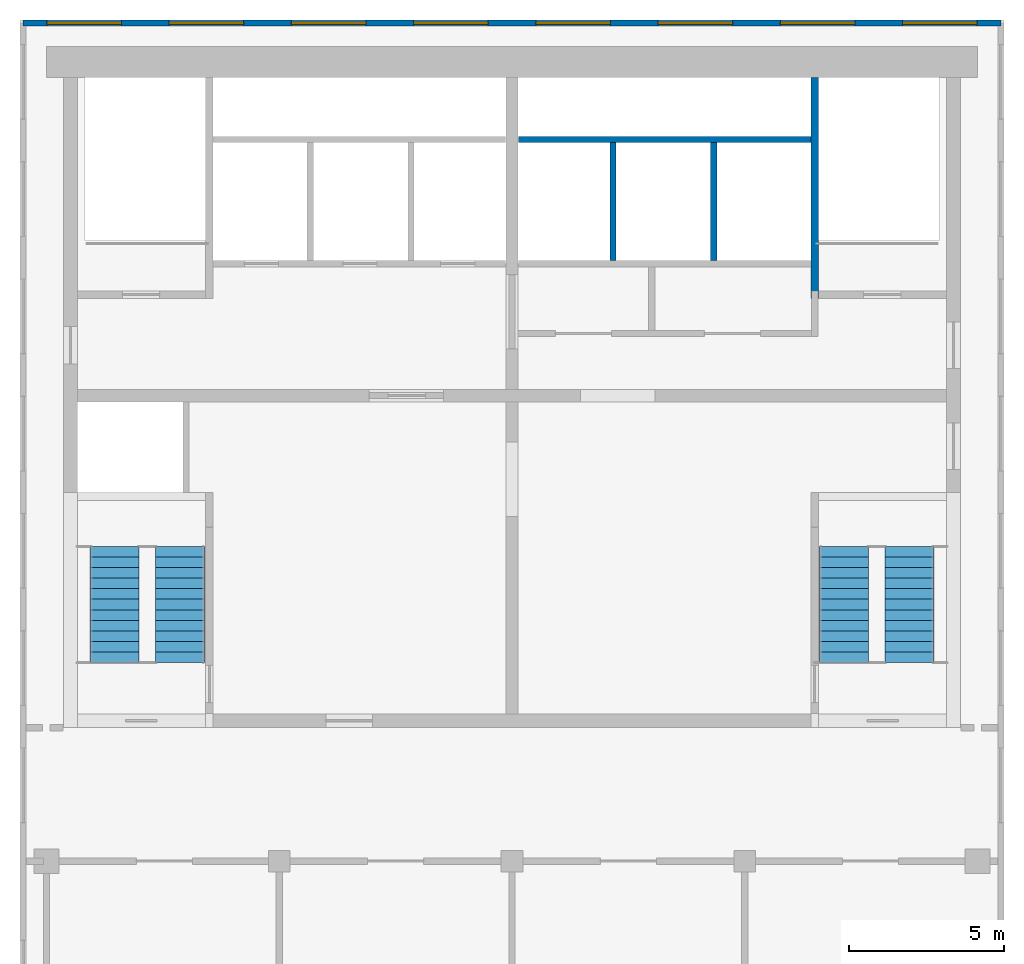
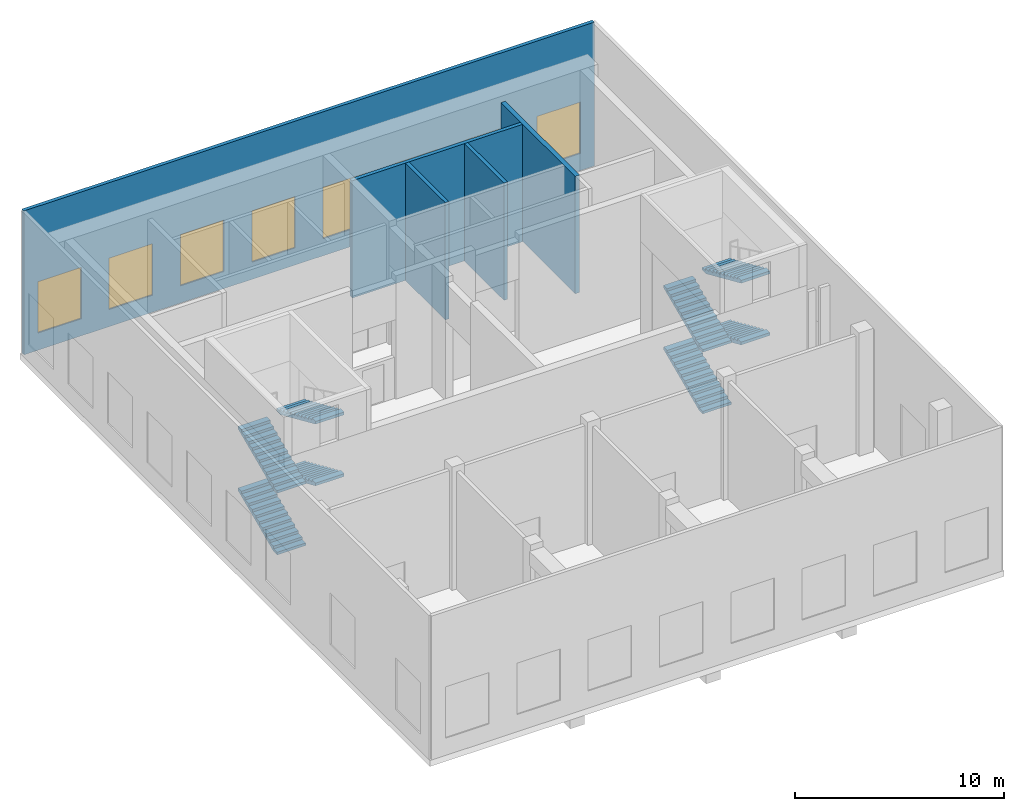
# One storey, part 4 of 5: 8 stair flights, 8 windows, 5 walls, 8 openings, 2 elements without a shape of their own.
"""IFC4 building model written with IfcOpenShell, lengths in metres."""

from ifc_helpers import new_model, si_unit, direction, frame, frame_2d, origin, place, context, subcontext, project, spatial, polyline, rectangle, outline, extrude, material, layer, layer_set, type_object, element, fill, aggregate, save


model = new_model("IFC4")

# Units and contexts
model_context = context("Model", 3, precision=1e-05, world=origin(), true_north=direction((0.0, 1.0)))
body_context = subcontext(model_context, "Body", "Model", "MODEL_VIEW")
ifc_project = project(units=[si_unit("LENGTHUNIT", "METRE"), si_unit("AREAUNIT", "SQUARE_METRE"), si_unit("VOLUMEUNIT", "CUBIC_METRE"), si_unit("PLANEANGLEUNIT", "RADIAN"), si_unit("MASSUNIT", "GRAM", prefix="KILO")], contexts=[model_context])

# Site, building, storey
site_placement = place(None, origin())
site = spatial("IfcSite", under=ifc_project, at=site_placement, CompositionType="ELEMENT")
building_placement = place(site_placement, origin())
building = spatial("IfcBuilding", under=site, at=building_placement, Name="Pilkhan Gate Tower", CompositionType="ELEMENT")
storey_placement = place(building_placement, frame((0.0, 0.0, 292.699951171875)))
storey = spatial("IfcBuildingStorey", under=building, at=storey_placement, Name="RF", CompositionType="ELEMENT", Elevation=292.699951171875)

# Wall, openings, windows
ifc_material_1 = material(Name="Pale anodised aluminium cladding", Category="aluminium")
ifc_layer_1 = layer(ifc_material_1, 0.199951171875)
ifc_layer_set_1 = layer_set([ifc_layer_1], Name="Plant screen wall PS200")
wall_type_1 = type_object("IfcWallType", Name="Plant screen wall PS200", PredefinedType="SOLIDWALL", material=ifc_layer_set_1)
wall_1_placement = place(storey_placement, frame((59.25, 94.5, 0.0), z_axis=(0.0, 0.0, 1.0), x_axis=(1.0, 0.0, 0.0)))
wall_1 = element("IfcWall", 1, at=wall_1_placement, inside=storey, type_object=wall_type_1, Name="Plant screen wall RF N", PredefinedType="SOLIDWALL", context=body_context, shape_type="SweptSolid", body=[
    extrude(rectangle(XDim=31.5, YDim=0.199951171875, at=frame_2d((15.75, 0.0))), origin(), (0.0, 0.0, 1.0), 8.400146484375),
])
opening_1_placement = place(wall_1_placement, frame((0.768798828125, 0.0, 1.0)))
opening_1 = element("IfcOpeningElement", 2, at=opening_1_placement, cuts=wall_1, Name="Opening WL1", PredefinedType="OPENING", context=body_context, shape_type="SweptSolid", body=[
    extrude(rectangle(XDim=2.39990234375, YDim=3.0, at=frame_2d((1.199951171875, 1.5))), frame((0.0, 0.10986328125, 0.0), z_axis=(0.0, -1.0, 0.0), x_axis=(1.0, 0.0, 0.0)), (0.0, 0.0, 1.0), 0.219970703125),
])
opening_2_placement = place(wall_1_placement, frame((4.706298828125, 0.0, 1.0)))
opening_2 = element("IfcOpeningElement", 3, at=opening_2_placement, cuts=wall_1, Name="Opening WL1", PredefinedType="OPENING", context=body_context, shape_type="SweptSolid", body=[
    extrude(rectangle(XDim=2.39990234375, YDim=3.0, at=frame_2d((1.199951171875, 1.5))), frame((0.0, 0.10986328125, 0.0), z_axis=(0.0, -1.0, 0.0), x_axis=(1.0, 0.0, 0.0)), (0.0, 0.0, 1.0), 0.219970703125),
])
opening_3_placement = place(wall_1_placement, frame((8.643798828125, 0.0, 1.0)))
opening_3 = element("IfcOpeningElement", 4, at=opening_3_placement, cuts=wall_1, Name="Opening WL1", PredefinedType="OPENING", context=body_context, shape_type="SweptSolid", body=[
    extrude(rectangle(XDim=2.39990234375, YDim=3.0, at=frame_2d((1.199951171875, 1.5))), frame((0.0, 0.10986328125, 0.0), z_axis=(0.0, -1.0, 0.0), x_axis=(1.0, 0.0, 0.0)), (0.0, 0.0, 1.0), 0.219970703125),
])
opening_4_placement = place(wall_1_placement, frame((12.581298828125, 0.0, 1.0)))
opening_4 = element("IfcOpeningElement", 5, at=opening_4_placement, cuts=wall_1, Name="Opening WL1", PredefinedType="OPENING", context=body_context, shape_type="SweptSolid", body=[
    extrude(rectangle(XDim=2.39990234375, YDim=3.0, at=frame_2d((1.199951171875, 1.5))), frame((0.0, 0.10986328125, 0.0), z_axis=(0.0, -1.0, 0.0), x_axis=(1.0, 0.0, 0.0)), (0.0, 0.0, 1.0), 0.219970703125),
])
opening_5_placement = place(wall_1_placement, frame((16.518798828125, 0.0, 1.0)))
opening_5 = element("IfcOpeningElement", 6, at=opening_5_placement, cuts=wall_1, Name="Opening WL1", PredefinedType="OPENING", context=body_context, shape_type="SweptSolid", body=[
    extrude(rectangle(XDim=2.39990234375, YDim=3.0, at=frame_2d((1.199951171875, 1.5))), frame((0.0, 0.10986328125, 0.0), z_axis=(0.0, -1.0, 0.0), x_axis=(1.0, 0.0, 0.0)), (0.0, 0.0, 1.0), 0.219970703125),
])
opening_6_placement = place(wall_1_placement, frame((20.456298828125, 0.0, 1.0)))
opening_6 = element("IfcOpeningElement", 7, at=opening_6_placement, cuts=wall_1, Name="Opening WL1", PredefinedType="OPENING", context=body_context, shape_type="SweptSolid", body=[
    extrude(rectangle(XDim=2.39990234375, YDim=3.0, at=frame_2d((1.199951171875, 1.5))), frame((0.0, 0.10986328125, 0.0), z_axis=(0.0, -1.0, 0.0), x_axis=(1.0, 0.0, 0.0)), (0.0, 0.0, 1.0), 0.219970703125),
])
opening_7_placement = place(wall_1_placement, frame((24.393798828125, 0.0, 1.0)))
opening_7 = element("IfcOpeningElement", 8, at=opening_7_placement, cuts=wall_1, Name="Opening WL1", PredefinedType="OPENING", context=body_context, shape_type="SweptSolid", body=[
    extrude(rectangle(XDim=2.39990234375, YDim=3.0, at=frame_2d((1.199951171875, 1.5))), frame((0.0, 0.10986328125, 0.0), z_axis=(0.0, -1.0, 0.0), x_axis=(1.0, 0.0, 0.0)), (0.0, 0.0, 1.0), 0.219970703125),
])
opening_8_placement = place(wall_1_placement, frame((28.331298828125, 0.0, 1.0)))
opening_8 = element("IfcOpeningElement", 9, at=opening_8_placement, cuts=wall_1, Name="Opening WL1", PredefinedType="OPENING", context=body_context, shape_type="SweptSolid", body=[
    extrude(rectangle(XDim=2.39990234375, YDim=3.0, at=frame_2d((1.199951171875, 1.5))), frame((0.0, 0.10986328125, 0.0), z_axis=(0.0, -1.0, 0.0), x_axis=(1.0, 0.0, 0.0)), (0.0, 0.0, 1.0), 0.219970703125),
])
ifc_material_2 = material(Name="Pale anodised aluminium storm louvre, bird mesh", Category="aluminium")
window_type = type_object("IfcWindowType", Name="Plant louvre WL1 2400x3000", PartitioningType="SINGLE_PANEL", PredefinedType="USERDEFINED", material=ifc_material_2)
window_1_placement = place(opening_1_placement, origin())
window_1 = element("IfcWindow", 10, at=window_1_placement, inside=storey, type_object=window_type, Name="Louvre RF", ObjectType="LOUVRE", OverallHeight=3.0, OverallWidth=2.39990234375, PartitioningType="SINGLE_PANEL", PredefinedType="USERDEFINED", context=body_context, shape_type="SweptSolid", body=[
    extrude(rectangle(XDim=2.39990234375, YDim=3.0, at=frame_2d((1.199951171875, 1.5))), frame((0.0, 0.030029296875, 0.0), z_axis=(0.0, -1.0, 0.0), x_axis=(1.0, 0.0, 0.0)), (0.0, 0.0, 1.0), 0.06005859375),
])
fill(opening_1, window_1)
window_2_placement = place(opening_2_placement, origin())
window_2 = element("IfcWindow", 11, at=window_2_placement, inside=storey, type_object=window_type, Name="Louvre RF", ObjectType="LOUVRE", OverallHeight=3.0, OverallWidth=2.39990234375, PartitioningType="SINGLE_PANEL", PredefinedType="USERDEFINED", context=body_context, shape_type="SweptSolid", body=[
    extrude(rectangle(XDim=2.39990234375, YDim=3.0, at=frame_2d((1.199951171875, 1.5))), frame((0.0, 0.030029296875, 0.0), z_axis=(0.0, -1.0, 0.0), x_axis=(1.0, 0.0, 0.0)), (0.0, 0.0, 1.0), 0.06005859375),
])
fill(opening_2, window_2)
window_3_placement = place(opening_3_placement, origin())
window_3 = element("IfcWindow", 12, at=window_3_placement, inside=storey, type_object=window_type, Name="Louvre RF", ObjectType="LOUVRE", OverallHeight=3.0, OverallWidth=2.39990234375, PartitioningType="SINGLE_PANEL", PredefinedType="USERDEFINED", context=body_context, shape_type="SweptSolid", body=[
    extrude(rectangle(XDim=2.39990234375, YDim=3.0, at=frame_2d((1.199951171875, 1.5))), frame((0.0, 0.030029296875, 0.0), z_axis=(0.0, -1.0, 0.0), x_axis=(1.0, 0.0, 0.0)), (0.0, 0.0, 1.0), 0.06005859375),
])
fill(opening_3, window_3)
window_4_placement = place(opening_4_placement, origin())
window_4 = element("IfcWindow", 13, at=window_4_placement, inside=storey, type_object=window_type, Name="Louvre RF", ObjectType="LOUVRE", OverallHeight=3.0, OverallWidth=2.39990234375, PartitioningType="SINGLE_PANEL", PredefinedType="USERDEFINED", context=body_context, shape_type="SweptSolid", body=[
    extrude(rectangle(XDim=2.39990234375, YDim=3.0, at=frame_2d((1.199951171875, 1.5))), frame((0.0, 0.030029296875, 0.0), z_axis=(0.0, -1.0, 0.0), x_axis=(1.0, 0.0, 0.0)), (0.0, 0.0, 1.0), 0.06005859375),
])
fill(opening_4, window_4)
window_5_placement = place(opening_5_placement, origin())
window_5 = element("IfcWindow", 14, at=window_5_placement, inside=storey, type_object=window_type, Name="Louvre RF", ObjectType="LOUVRE", OverallHeight=3.0, OverallWidth=2.39990234375, PartitioningType="SINGLE_PANEL", PredefinedType="USERDEFINED", context=body_context, shape_type="SweptSolid", body=[
    extrude(rectangle(XDim=2.39990234375, YDim=3.0, at=frame_2d((1.199951171875, 1.5))), frame((0.0, 0.030029296875, 0.0), z_axis=(0.0, -1.0, 0.0), x_axis=(1.0, 0.0, 0.0)), (0.0, 0.0, 1.0), 0.06005859375),
])
fill(opening_5, window_5)
window_6_placement = place(opening_6_placement, origin())
window_6 = element("IfcWindow", 15, at=window_6_placement, inside=storey, type_object=window_type, Name="Louvre RF", ObjectType="LOUVRE", OverallHeight=3.0, OverallWidth=2.39990234375, PartitioningType="SINGLE_PANEL", PredefinedType="USERDEFINED", context=body_context, shape_type="SweptSolid", body=[
    extrude(rectangle(XDim=2.39990234375, YDim=3.0, at=frame_2d((1.199951171875, 1.5))), frame((0.0, 0.030029296875, 0.0), z_axis=(0.0, -1.0, 0.0), x_axis=(1.0, 0.0, 0.0)), (0.0, 0.0, 1.0), 0.06005859375),
])
fill(opening_6, window_6)
window_7_placement = place(opening_7_placement, origin())
window_7 = element("IfcWindow", 16, at=window_7_placement, inside=storey, type_object=window_type, Name="Louvre RF", ObjectType="LOUVRE", OverallHeight=3.0, OverallWidth=2.39990234375, PartitioningType="SINGLE_PANEL", PredefinedType="USERDEFINED", context=body_context, shape_type="SweptSolid", body=[
    extrude(rectangle(XDim=2.39990234375, YDim=3.0, at=frame_2d((1.199951171875, 1.5))), frame((0.0, 0.030029296875, 0.0), z_axis=(0.0, -1.0, 0.0), x_axis=(1.0, 0.0, 0.0)), (0.0, 0.0, 1.0), 0.06005859375),
])
fill(opening_7, window_7)
window_8_placement = place(opening_8_placement, origin())
window_8 = element("IfcWindow", 17, at=window_8_placement, inside=storey, type_object=window_type, Name="Louvre RF", ObjectType="LOUVRE", OverallHeight=3.0, OverallWidth=2.39990234375, PartitioningType="SINGLE_PANEL", PredefinedType="USERDEFINED", context=body_context, shape_type="SweptSolid", body=[
    extrude(rectangle(XDim=2.39990234375, YDim=3.0, at=frame_2d((1.199951171875, 1.5))), frame((0.0, 0.030029296875, 0.0), z_axis=(0.0, -1.0, 0.0), x_axis=(1.0, 0.0, 0.0)), (0.0, 0.0, 1.0), 0.06005859375),
])
fill(opening_8, window_8)

# Walls
ifc_material_3 = material(Name="Reinforced blockwork shaft wall, 120 minute fire resisting", Category="masonry")
ifc_layer_2 = layer(ifc_material_3, 0.199951171875)
ifc_layer_set_2 = layer_set([ifc_layer_2], Name="Shaft wall SW200")
wall_type_2 = type_object("IfcWallType", Name="Shaft wall SW200", PredefinedType="PARTITIONING", material=ifc_layer_set_2)
wall_2_placement = place(storey_placement, frame((75.2099609375, 90.75, 0.0), z_axis=(0.0, 0.0, 1.0), x_axis=(1.0, 0.0, 0.0)))
element("IfcWall", 18, at=wall_2_placement, inside=storey, type_object=wall_type_2, Name="Partition RF", PredefinedType="PARTITIONING", context=body_context, shape_type="SweptSolid", body=[
    extrude(rectangle(XDim=9.4150390625, YDim=0.199951171875, at=frame_2d((4.70751953125, 0.0))), origin(), (0.0, 0.0, 1.0), 6.85009765625),
])
for number, where, z_axis, x_axis, name in (
    (19, (78.25, 86.85009765625, 0.0), (0.0, 0.0, 1.0), (0.0, 1.0, 0.0), "Partition RF"),
    (20, (81.5, 86.85009765625, 0.0), (0.0, 0.0, 1.0), (0.0, 1.0, 0.0), "Partition RF"),
):
    element("IfcWall", number, at=place(storey_placement, frame(where, z_axis=z_axis, x_axis=x_axis)), inside=storey, type_object=wall_type_2, Name=name, PredefinedType="PARTITIONING", context=body_context, shape_type="SweptSolid", body=[
        extrude(rectangle(XDim=3.7998046875, YDim=0.199951171875, at=frame_2d((1.89990234375, 0.0))), origin(), (0.0, 0.0, 1.0), 6.85009765625),
    ])
ifc_material_4 = material(Name="Reinforced blockwork, 120 minute fire resisting", Category="masonry")
ifc_layer_3 = layer(ifc_material_4, 0.25)
ifc_layer_set_3 = layer_set([ifc_layer_3], Name="Stair enclosure wall SE250")
wall_type_3 = type_object("IfcWallType", Name="Stair enclosure wall SE250", PredefinedType="PARTITIONING", material=ifc_layer_set_3)
wall_3_placement = place(storey_placement, frame((84.75, 85.625, 0.0), z_axis=(0.0, 0.0, 1.0), x_axis=(0.0, 1.0, 0.0)))
element("IfcWall", 21, at=wall_3_placement, inside=storey, type_object=wall_type_3, Name="Partition RF", PredefinedType="PARTITIONING", context=body_context, shape_type="SweptSolid", body=[
    extrude(rectangle(XDim=7.114990234375, YDim=0.25, at=frame_2d((3.5576171875, 0.0))), origin(), (0.0, 0.0, 1.0), 6.85009765625),
])

# Stair, stair flights
ifc_material_5 = material(Name="Concrete C40/50 precast", Category="concrete")
stair_type_1 = type_object("IfcStairType", Name="Stair ST1 150x340", PredefinedType="HALF_TURN_STAIR", material=ifc_material_5)
stair_1_placement = place(storey_placement, origin())
stair_1 = element("IfcStair", 22, at=stair_1_placement, inside=storey, type_object=stair_type_1, Name="Stair ST1 RF", PredefinedType="HALF_TURN_STAIR")
stair_flight_type_1 = type_object("IfcStairFlightType", Name="Stair flight ST1 150x340x12", PredefinedType="STRAIGHT", material=ifc_material_5)
stair_flight_1_placement = place(storey_placement, frame((85.68994140625, 73.89990234375, 0.0), z_axis=(0.0, 0.0, 1.0), x_axis=(0.0, 1.0, 0.0)))
stair_flight_1 = element("IfcStairFlight", 23, at=stair_flight_1_placement, type_object=stair_flight_type_1, Name="ST1 flight 1", NumberOfRisers=12, NumberOfTreads=11, PredefinedType="STRAIGHT", RiserHeight=0.15, TreadLength=0.34, context=body_context, shape_type="SweptSolid", body=[
    extrude(outline(polyline([(0.0, 0.0), (0.0, 0.14990234375), (0.340087890625, 0.14990234375), (0.340087890625, 0.300048828125), (0.679931640625, 0.300048828125), (0.679931640625, 0.449951171875), (1.02001953125, 0.449951171875), (1.02001953125, 0.60009765625), (1.360107421875, 0.60009765625), (1.360107421875, 0.75), (1.699951171875, 0.75), (1.699951171875, 0.89990234375), (2.0400390625, 0.89990234375), (2.0400390625, 1.050048828125), (2.3798828125, 1.050048828125), (2.3798828125, 1.199951171875), (2.719970703125, 1.199951171875), (2.719970703125, 1.35009765625), (3.06005859375, 1.35009765625), (3.06005859375, 1.5), (3.39990234375, 1.5), (3.39990234375, 1.64990234375), (3.739990234375, 1.64990234375), (3.739990234375, 1.800048828125), (3.739990234375, 1.486083984375), (0.371337890625, 0.0), (0.0, 0.0)])), frame((0.0, 0.7900390625, 0.0), z_axis=(0.0, -1.0, 0.0), x_axis=(1.0, 0.0, 0.0)), (0.0, 0.0, 1.0), 1.580078125),
])
stair_flight_2_placement = place(storey_placement, frame((87.81005859375, 77.639892578125, 1.800048828125), z_axis=(0.0, 0.0, 1.0), x_axis=(0.0, -1.0, 0.0)))
stair_flight_2 = element("IfcStairFlight", 24, at=stair_flight_2_placement, type_object=stair_flight_type_1, Name="ST1 flight 2", NumberOfRisers=12, NumberOfTreads=11, PredefinedType="STRAIGHT", RiserHeight=0.15, TreadLength=0.34, context=body_context, shape_type="SweptSolid", body=[
    extrude(outline(polyline([(0.0, 0.0), (0.0, 0.14990234375), (0.340087890625, 0.14990234375), (0.340087890625, 0.300048828125), (0.679931640625, 0.300048828125), (0.679931640625, 0.449951171875), (1.02001953125, 0.449951171875), (1.02001953125, 0.60009765625), (1.360107421875, 0.60009765625), (1.360107421875, 0.75), (1.699951171875, 0.75), (1.699951171875, 0.89990234375), (2.0400390625, 0.89990234375), (2.0400390625, 1.050048828125), (2.3798828125, 1.050048828125), (2.3798828125, 1.199951171875), (2.719970703125, 1.199951171875), (2.719970703125, 1.35009765625), (3.06005859375, 1.35009765625), (3.06005859375, 1.5), (3.39990234375, 1.5), (3.39990234375, 1.64990234375), (3.739990234375, 1.64990234375), (3.739990234375, 1.800048828125), (3.739990234375, 1.486083984375), (0.371337890625, 0.0), (0.0, 0.0)])), frame((0.0, 0.7900390625, 0.0), z_axis=(0.0, -1.0, 0.0), x_axis=(1.0, 0.0, 0.0)), (0.0, 0.0, 1.0), 1.580078125),
])
stair_flight_3_placement = place(storey_placement, frame((85.68994140625, 73.89990234375, 3.60009765625), z_axis=(0.0, 0.0, 1.0), x_axis=(0.0, 1.0, 0.0)))
stair_flight_3 = element("IfcStairFlight", 25, at=stair_flight_3_placement, type_object=stair_flight_type_1, Name="ST1 flight 3", NumberOfRisers=12, NumberOfTreads=11, PredefinedType="STRAIGHT", RiserHeight=0.15, TreadLength=0.34, context=body_context, shape_type="SweptSolid", body=[
    extrude(outline(polyline([(0.0, 0.0), (0.0, 0.14990234375), (0.340087890625, 0.14990234375), (0.340087890625, 0.300048828125), (0.679931640625, 0.300048828125), (0.679931640625, 0.449951171875), (1.02001953125, 0.449951171875), (1.02001953125, 0.60009765625), (1.360107421875, 0.60009765625), (1.360107421875, 0.75), (1.699951171875, 0.75), (1.699951171875, 0.89990234375), (2.0400390625, 0.89990234375), (2.0400390625, 1.050048828125), (2.3798828125, 1.050048828125), (2.3798828125, 1.199951171875), (2.719970703125, 1.199951171875), (2.719970703125, 1.35009765625), (3.06005859375, 1.35009765625), (3.06005859375, 1.5), (3.39990234375, 1.5), (3.39990234375, 1.64990234375), (3.739990234375, 1.64990234375), (3.739990234375, 1.800048828125), (3.739990234375, 1.486083984375), (0.371337890625, 0.0), (0.0, 0.0)])), frame((0.0, 0.7900390625, 0.0), z_axis=(0.0, -1.0, 0.0), x_axis=(1.0, 0.0, 0.0)), (0.0, 0.0, 1.0), 1.580078125),
])
stair_flight_4_placement = place(storey_placement, frame((87.81005859375, 77.639892578125, 5.400146484375), z_axis=(0.0, 0.0, 1.0), x_axis=(0.0, -1.0, 0.0)))
stair_flight_4 = element("IfcStairFlight", 26, at=stair_flight_4_placement, type_object=stair_flight_type_1, Name="ST1 flight 4", NumberOfRisers=12, NumberOfTreads=11, PredefinedType="STRAIGHT", RiserHeight=0.15, TreadLength=0.34, context=body_context, shape_type="SweptSolid", body=[
    extrude(outline(polyline([(0.0, 0.0), (0.0, 0.14990234375), (0.340087890625, 0.14990234375), (0.340087890625, 0.300048828125), (0.679931640625, 0.300048828125), (0.679931640625, 0.449951171875), (1.02001953125, 0.449951171875), (1.02001953125, 0.60009765625), (1.360107421875, 0.60009765625), (1.360107421875, 0.75), (1.699951171875, 0.75), (1.699951171875, 0.89990234375), (2.0400390625, 0.89990234375), (2.0400390625, 1.050048828125), (2.3798828125, 1.050048828125), (2.3798828125, 1.199951171875), (2.719970703125, 1.199951171875), (2.719970703125, 1.35009765625), (3.06005859375, 1.35009765625), (3.06005859375, 1.5), (3.39990234375, 1.5), (3.39990234375, 1.64990234375), (3.739990234375, 1.64990234375), (3.739990234375, 1.800048828125), (3.739990234375, 1.486083984375), (0.371337890625, 0.0), (0.0, 0.0)])), frame((0.0, 0.7900390625, 0.0), z_axis=(0.0, -1.0, 0.0), x_axis=(1.0, 0.0, 0.0)), (0.0, 0.0, 1.0), 1.580078125),
])
aggregate(stair_1, [stair_flight_1, stair_flight_2, stair_flight_3, stair_flight_4])

stair_type_2 = type_object("IfcStairType", Name="Stair ST2 150x340", PredefinedType="HALF_TURN_STAIR", material=ifc_material_5)
stair_2_placement = place(storey_placement, origin())
stair_2 = element("IfcStair", 27, at=stair_2_placement, inside=storey, type_object=stair_type_2, Name="Stair ST2 RF", PredefinedType="HALF_TURN_STAIR")
stair_flight_type_2 = type_object("IfcStairFlightType", Name="Stair flight ST2 150x340x12", PredefinedType="STRAIGHT", material=ifc_material_5)
stair_flight_5_placement = place(storey_placement, frame((62.18994140625, 73.89990234375, 0.0), z_axis=(0.0, 0.0, 1.0), x_axis=(0.0, 1.0, 0.0)))
stair_flight_5 = element("IfcStairFlight", 28, at=stair_flight_5_placement, type_object=stair_flight_type_2, Name="ST2 flight 1", NumberOfRisers=12, NumberOfTreads=11, PredefinedType="STRAIGHT", RiserHeight=0.15, TreadLength=0.34, context=body_context, shape_type="SweptSolid", body=[
    extrude(outline(polyline([(0.0, 0.0), (0.0, 0.14990234375), (0.340087890625, 0.14990234375), (0.340087890625, 0.300048828125), (0.679931640625, 0.300048828125), (0.679931640625, 0.449951171875), (1.02001953125, 0.449951171875), (1.02001953125, 0.60009765625), (1.360107421875, 0.60009765625), (1.360107421875, 0.75), (1.699951171875, 0.75), (1.699951171875, 0.89990234375), (2.0400390625, 0.89990234375), (2.0400390625, 1.050048828125), (2.3798828125, 1.050048828125), (2.3798828125, 1.199951171875), (2.719970703125, 1.199951171875), (2.719970703125, 1.35009765625), (3.06005859375, 1.35009765625), (3.06005859375, 1.5), (3.39990234375, 1.5), (3.39990234375, 1.64990234375), (3.739990234375, 1.64990234375), (3.739990234375, 1.800048828125), (3.739990234375, 1.486083984375), (0.371337890625, 0.0), (0.0, 0.0)])), frame((0.0, 0.7900390625, 0.0), z_axis=(0.0, -1.0, 0.0), x_axis=(1.0, 0.0, 0.0)), (0.0, 0.0, 1.0), 1.580078125),
])
stair_flight_6_placement = place(storey_placement, frame((64.31005859375, 77.639892578125, 1.800048828125), z_axis=(0.0, 0.0, 1.0), x_axis=(0.0, -1.0, 0.0)))
stair_flight_6 = element("IfcStairFlight", 29, at=stair_flight_6_placement, type_object=stair_flight_type_2, Name="ST2 flight 2", NumberOfRisers=12, NumberOfTreads=11, PredefinedType="STRAIGHT", RiserHeight=0.15, TreadLength=0.34, context=body_context, shape_type="SweptSolid", body=[
    extrude(outline(polyline([(0.0, 0.0), (0.0, 0.14990234375), (0.340087890625, 0.14990234375), (0.340087890625, 0.300048828125), (0.679931640625, 0.300048828125), (0.679931640625, 0.449951171875), (1.02001953125, 0.449951171875), (1.02001953125, 0.60009765625), (1.360107421875, 0.60009765625), (1.360107421875, 0.75), (1.699951171875, 0.75), (1.699951171875, 0.89990234375), (2.0400390625, 0.89990234375), (2.0400390625, 1.050048828125), (2.3798828125, 1.050048828125), (2.3798828125, 1.199951171875), (2.719970703125, 1.199951171875), (2.719970703125, 1.35009765625), (3.06005859375, 1.35009765625), (3.06005859375, 1.5), (3.39990234375, 1.5), (3.39990234375, 1.64990234375), (3.739990234375, 1.64990234375), (3.739990234375, 1.800048828125), (3.739990234375, 1.486083984375), (0.371337890625, 0.0), (0.0, 0.0)])), frame((0.0, 0.7900390625, 0.0), z_axis=(0.0, -1.0, 0.0), x_axis=(1.0, 0.0, 0.0)), (0.0, 0.0, 1.0), 1.580078125),
])
stair_flight_7_placement = place(storey_placement, frame((62.18994140625, 73.89990234375, 3.60009765625), z_axis=(0.0, 0.0, 1.0), x_axis=(0.0, 1.0, 0.0)))
stair_flight_7 = element("IfcStairFlight", 30, at=stair_flight_7_placement, type_object=stair_flight_type_2, Name="ST2 flight 3", NumberOfRisers=12, NumberOfTreads=11, PredefinedType="STRAIGHT", RiserHeight=0.15, TreadLength=0.34, context=body_context, shape_type="SweptSolid", body=[
    extrude(outline(polyline([(0.0, 0.0), (0.0, 0.14990234375), (0.340087890625, 0.14990234375), (0.340087890625, 0.300048828125), (0.679931640625, 0.300048828125), (0.679931640625, 0.449951171875), (1.02001953125, 0.449951171875), (1.02001953125, 0.60009765625), (1.360107421875, 0.60009765625), (1.360107421875, 0.75), (1.699951171875, 0.75), (1.699951171875, 0.89990234375), (2.0400390625, 0.89990234375), (2.0400390625, 1.050048828125), (2.3798828125, 1.050048828125), (2.3798828125, 1.199951171875), (2.719970703125, 1.199951171875), (2.719970703125, 1.35009765625), (3.06005859375, 1.35009765625), (3.06005859375, 1.5), (3.39990234375, 1.5), (3.39990234375, 1.64990234375), (3.739990234375, 1.64990234375), (3.739990234375, 1.800048828125), (3.739990234375, 1.486083984375), (0.371337890625, 0.0), (0.0, 0.0)])), frame((0.0, 0.7900390625, 0.0), z_axis=(0.0, -1.0, 0.0), x_axis=(1.0, 0.0, 0.0)), (0.0, 0.0, 1.0), 1.580078125),
])
stair_flight_8_placement = place(storey_placement, frame((64.31005859375, 77.639892578125, 5.400146484375), z_axis=(0.0, 0.0, 1.0), x_axis=(0.0, -1.0, 0.0)))
stair_flight_8 = element("IfcStairFlight", 31, at=stair_flight_8_placement, type_object=stair_flight_type_2, Name="ST2 flight 4", NumberOfRisers=12, NumberOfTreads=11, PredefinedType="STRAIGHT", RiserHeight=0.15, TreadLength=0.34, context=body_context, shape_type="SweptSolid", body=[
    extrude(outline(polyline([(0.0, 0.0), (0.0, 0.14990234375), (0.340087890625, 0.14990234375), (0.340087890625, 0.300048828125), (0.679931640625, 0.300048828125), (0.679931640625, 0.449951171875), (1.02001953125, 0.449951171875), (1.02001953125, 0.60009765625), (1.360107421875, 0.60009765625), (1.360107421875, 0.75), (1.699951171875, 0.75), (1.699951171875, 0.89990234375), (2.0400390625, 0.89990234375), (2.0400390625, 1.050048828125), (2.3798828125, 1.050048828125), (2.3798828125, 1.199951171875), (2.719970703125, 1.199951171875), (2.719970703125, 1.35009765625), (3.06005859375, 1.35009765625), (3.06005859375, 1.5), (3.39990234375, 1.5), (3.39990234375, 1.64990234375), (3.739990234375, 1.64990234375), (3.739990234375, 1.800048828125), (3.739990234375, 1.486083984375), (0.371337890625, 0.0), (0.0, 0.0)])), frame((0.0, 0.7900390625, 0.0), z_axis=(0.0, -1.0, 0.0), x_axis=(1.0, 0.0, 0.0)), (0.0, 0.0, 1.0), 1.580078125),
])
aggregate(stair_2, [stair_flight_5, stair_flight_6, stair_flight_7, stair_flight_8])

save(model, "model.ifc")
